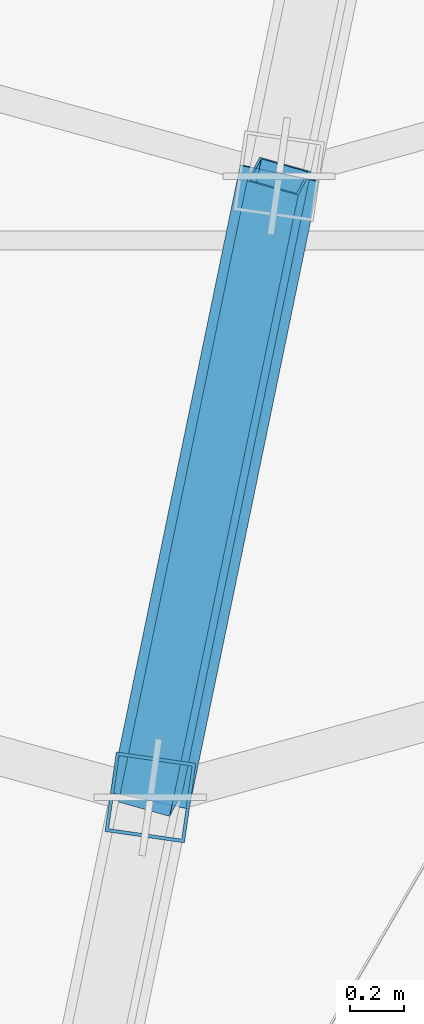
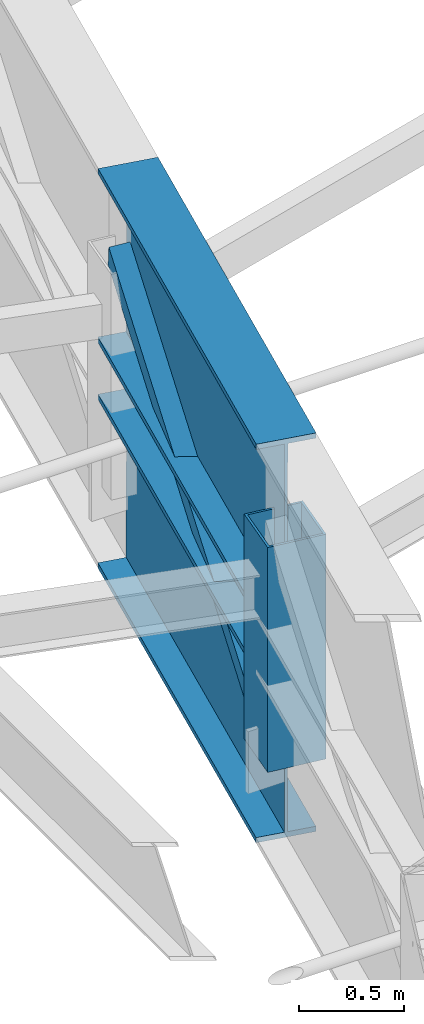
# One storey, part 42 of 184: 2 beams, 2 members.
"""IFC4 building model written with IfcOpenShell, lengths in metres."""

from ifc_helpers import new_model, si_unit, direction, frame, origin, origin_2d, place, context, subcontext, project, spatial, hollow_rectangle, i_section, extrude, material, material_profile, profile_set, type_object, element, save


model = new_model("IFC4")

# Units and contexts
model_context = context("Model", 3, precision=1e-05, world=origin(), true_north=direction((0.0, 1.0)))
body_context = subcontext(model_context, "Body", "Model", "MODEL_VIEW")
ifc_project = project(units=[si_unit("LENGTHUNIT", "METRE"), si_unit("AREAUNIT", "SQUARE_METRE"), si_unit("VOLUMEUNIT", "CUBIC_METRE"), si_unit("PLANEANGLEUNIT", "RADIAN"), si_unit("MASSUNIT", "GRAM", prefix="KILO")], contexts=[model_context])

# Site, building, storey
site_placement = place(None, origin())
site = spatial("IfcSite", under=ifc_project, at=site_placement, CompositionType="ELEMENT")
building_placement = place(site_placement, origin())
building = spatial("IfcBuilding", under=site, at=building_placement, Name="Kalgoora Escarpment Arena", CompositionType="ELEMENT")
storey_placement = place(building_placement, frame((0.0, 0.0, 27.60009765625)))
storey = spatial("IfcBuildingStorey", under=building, at=storey_placement, Name="Roof Level", CompositionType="ELEMENT", Elevation=27.60009765625)

# Beams
ifc_material_1 = material(Name="Structural steel Grade 350 (350 MPa)", Category="steel")
ifc_material_profile_1 = material_profile(ifc_material_1, i_section(OverallWidth=0.300048828125, OverallDepth=1.010009765625, WebThickness=0.01611328125, FlangeThickness=0.030029296875, at=origin_2d()))
ifc_profile_set_1 = profile_set([ifc_material_profile_1], Name="Structural steel Grade 350 (350 MPa)")
beam_type = type_object("IfcBeamType", Name="BM-TRUSS-CHORD", PredefinedType="USERDEFINED", material=ifc_profile_set_1)
for number, where, z_axis, x_axis, name in (
    (1, (92.877685546875, 36.708251953125, -1.64501953125), (0.202507350244, 0.979278617127, 0.002040376325), (-0.979280655568, 0.202507771779, 0.0), "Radial ROOF TRUSS spine 7 bottom chord 3"),
    (2, (92.877685546875, 36.708251953125, -0.340087890625), (0.202506000299, 0.979272089104, 0.004182743583), (-0.979280655568, 0.202507771779, 0.0), "Radial ROOF TRUSS spine 7 top chord 3"),
):
    element("IfcBeam", number, at=place(storey_placement, frame(where, z_axis=z_axis, x_axis=x_axis)), inside=storey, type_object=beam_type, Name=name, ObjectType="GIRDER", PredefinedType="USERDEFINED", context=body_context, shape_type="SweptSolid", body=[
        extrude(i_section(OverallWidth=0.300048828125, OverallDepth=1.010009765625, WebThickness=0.01611328125, FlangeThickness=0.030029296875, at=origin_2d()), origin(), (0.0, 0.0, 1.0), 2.39306640625),
    ])

# Members
ifc_material_2 = material(Name="Structural steel C350 (350 MPa)", Category="steel")
ifc_material_profile_2 = material_profile(ifc_material_2, hollow_rectangle(XDim=0.199951171875, YDim=0.199951171875, WallThickness=0.009033203125, at=origin_2d()))
ifc_profile_set_2 = profile_set([ifc_material_profile_2], Name="Structural steel C350 (350 MPa)")
member_type_1 = type_object("IfcMemberType", Name="MEM-TRUSS-DIAG", PredefinedType="BRACE", material=ifc_profile_set_2)
member_1_placement = place(storey_placement, frame((92.8798828125, 36.719970703125, -1.64501953125), z_axis=(0.177225120493, 0.856212669063, 0.485274275026), x_axis=(-0.235856188409, -0.441760993693, 0.865574423629)))
element("IfcMember", 3, at=member_1_placement, inside=storey, type_object=member_type_1, Name="Radial ROOF TRUSS spine 7 web diagonal 3", PredefinedType="BRACE", context=body_context, shape_type="SweptSolid", body=[
    extrude(hollow_rectangle(XDim=0.199951171875, YDim=0.199951171875, WallThickness=0.009033203125, at=origin_2d()), origin(), (0.0, 0.0, 1.0), 2.709716796875),
])
ifc_material_3 = material(Name="Structural steel C450 (450 MPa)", Category="steel")
ifc_material_profile_3 = material_profile(ifc_material_3, hollow_rectangle(XDim=0.300048828125, YDim=0.300048828125, WallThickness=0.012451171875, at=origin_2d()))
ifc_profile_set_3 = profile_set([ifc_material_profile_3], Name="Structural steel C450 (450 MPa)")
member_type_2 = type_object("IfcMemberType", Name="MEM-TRUSS-POST", PredefinedType="POST", material=ifc_profile_set_3)
member_2_placement = place(storey_placement, frame((92.8798828125, 36.719970703125, -1.64501953125), z_axis=(0.0, 0.0, 1.0), x_axis=(0.141419587774, 0.989949746297, 0.0)))
element("IfcMember", 4, at=member_2_placement, inside=storey, type_object=member_type_2, Name="Radial ROOF TRUSS spine 7 post 2", PredefinedType="POST", context=body_context, shape_type="SweptSolid", body=[
    extrude(hollow_rectangle(XDim=0.300048828125, YDim=0.300048828125, WallThickness=0.012451171875, at=origin_2d()), origin(), (0.0, 0.0, 1.0), 1.304931640625),
])

save(model, "model.ifc")
